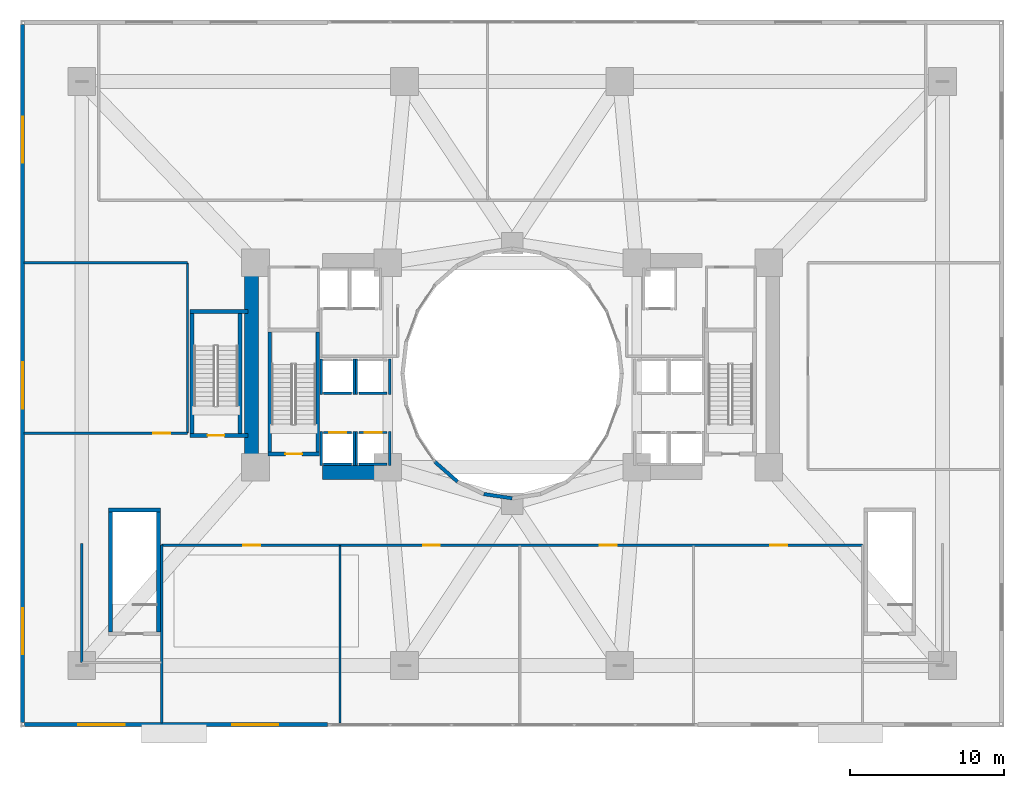
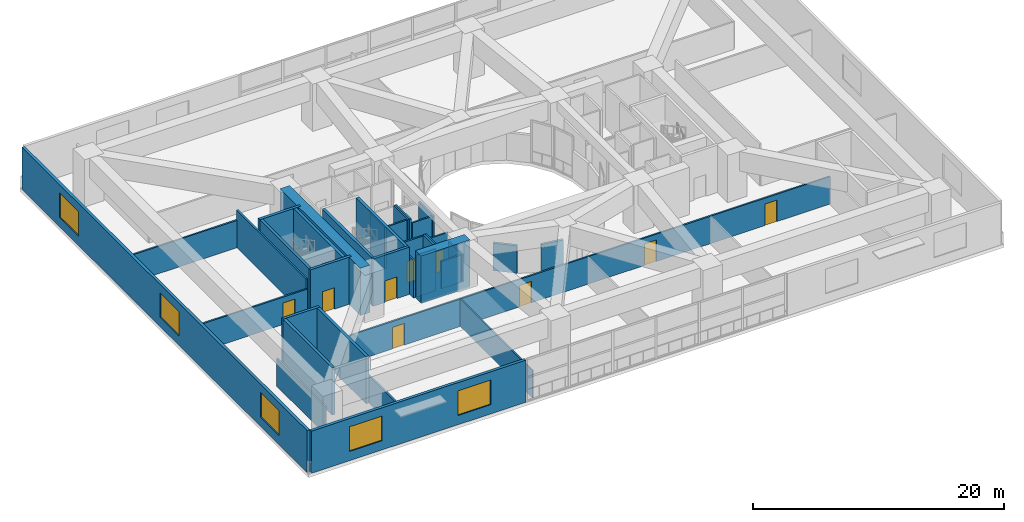
# One storey, part 18 of 27: 37 walls, 9 doors, 5 windows, 14 openings.
"""IFC4 building model written with IfcOpenShell, lengths in metres."""

from ifc_helpers import new_model, si_unit, direction, frame, frame_2d, origin, place, context, subcontext, project, spatial, rectangle, extrude, material, layer, layer_set, type_object, element, fill, save


model = new_model("IFC4")

# Units and contexts
model_context = context("Model", 3, precision=1e-05, world=origin(), true_north=direction((0.0, 1.0)))
body_context = subcontext(model_context, "Body", "Model", "MODEL_VIEW")
ifc_project = project(units=[si_unit("LENGTHUNIT", "METRE"), si_unit("AREAUNIT", "SQUARE_METRE"), si_unit("VOLUMEUNIT", "CUBIC_METRE"), si_unit("PLANEANGLEUNIT", "RADIAN"), si_unit("MASSUNIT", "GRAM", prefix="KILO")], contexts=[model_context])

# Site, building, storey
site_placement = place(None, origin())
site = spatial("IfcSite", under=ifc_project, at=site_placement, CompositionType="ELEMENT")
building_placement = place(site_placement, origin())
building = spatial("IfcBuilding", under=site, at=building_placement, Name="Solvane Sanctuary Tower", CompositionType="ELEMENT")
storey_placement = place(building_placement, frame((0.0, 0.0, 23.0)))
storey = spatial("IfcBuildingStorey", under=building, at=storey_placement, Name="L06", CompositionType="ELEMENT", Elevation=23.0)

# Walls
ifc_material_1 = material(Name="Concrete C70/85", Category="concrete")
ifc_layer_1 = layer(ifc_material_1, 0.89990234375, Name="Concrete C70/85")
ifc_layer_set_1 = layer_set([ifc_layer_1], Name="Concrete C70/85")
wall_type_1 = type_object("IfcWallType", Name="Wall W-CORE-900", PredefinedType="SHEAR", material=ifc_layer_set_1)
wall_1_placement = place(storey_placement, frame((15.050048828125, 17.050048828125, 0.0), z_axis=(0.0, 0.0, 1.0), x_axis=(0.0, 1.0, 0.0)))
element("IfcWall", 1, at=wall_1_placement, inside=storey, type_object=wall_type_1, Name="L06 Core Shear Wall WC-W", PredefinedType="SHEAR", context=body_context, shape_type="SweptSolid", body=[
    extrude(rectangle(XDim=12.800048828125, YDim=0.89990234375, at=frame_2d((6.39990234375, 0.0))), origin(), (0.0, 0.0, 1.0), 4.60009765625),
])
wall_2_placement = place(storey_placement, frame((19.64990234375, 16.550048828125, 0.0), z_axis=(0.0, 0.0, 1.0), x_axis=(1.0, 0.0, 0.0)))
element("IfcWall", 2, at=wall_2_placement, inside=storey, type_object=wall_type_1, Name="L06 Core Shear Wall WC-S", PredefinedType="SHEAR", context=body_context, shape_type="SweptSolid", body=[
    extrude(rectangle(XDim=4.5, YDim=0.89990234375, at=frame_2d((2.25, 0.0))), origin(), (0.0, 0.0, 1.0), 4.60009765625),
])

# Wall, openings, doors
ifc_material_2 = material(Name="Acoustic Gypsum Partition Board")
ifc_layer_2 = layer(ifc_material_2, 0.14990234375, Name="Acoustic Gypsum Partition Board")
ifc_layer_set_2 = layer_set([ifc_layer_2], Name="Acoustic Gypsum Partition Board")
wall_type_2 = type_object("IfcWallType", Name="Wall W-CORR-150", PredefinedType="PARTITIONING", material=ifc_layer_set_2)
wall_3_placement = place(storey_placement, frame((9.199951171875, 11.830078125, 0.0), z_axis=(0.0, 0.0, 1.0), x_axis=(1.0, 0.0, 0.0)))
wall_3 = element("IfcWall", 3, at=wall_3_placement, inside=storey, type_object=wall_type_2, Name="L06 South Sanctuary Corridor Wall", PredefinedType="PARTITIONING", context=body_context, shape_type="SweptSolid", body=[
    extrude(rectangle(XDim=45.60009765625, YDim=0.14990234375, at=frame_2d((22.800048828125, 0.0))), origin(), (0.0, 0.0, 1.0), 2.669921875),
])
opening_1_placement = place(wall_3_placement, frame((5.300048828125, 0.0, 0.0)))
opening_1 = element("IfcOpeningElement", 4, at=opening_1_placement, cuts=wall_3, Name="Opening D-L06-08", PredefinedType="OPENING", context=body_context, shape_type="SweptSolid", body=[
    extrude(rectangle(XDim=1.10009765625, YDim=2.10009765625, at=frame_2d((0.550048828125, 1.050048828125))), frame((0.0, 0.0849609375, 0.0), z_axis=(0.0, -1.0, 0.0), x_axis=(1.0, 0.0, 0.0)), (0.0, 0.0, 1.0), 0.169921875),
])
opening_2_placement = place(wall_3_placement, frame((17.0, 0.0, 0.0)))
opening_2 = element("IfcOpeningElement", 5, at=opening_2_placement, cuts=wall_3, Name="Opening D-L06-09", PredefinedType="OPENING", context=body_context, shape_type="SweptSolid", body=[
    extrude(rectangle(XDim=1.10009765625, YDim=2.10009765625, at=frame_2d((0.550048828125, 1.050048828125))), frame((0.0, 0.0849609375, 0.0), z_axis=(0.0, -1.0, 0.0), x_axis=(1.0, 0.0, 0.0)), (0.0, 0.0, 1.0), 0.169921875),
])
opening_3_placement = place(wall_3_placement, frame((28.5, 0.0, 0.0)))
opening_3 = element("IfcOpeningElement", 6, at=opening_3_placement, cuts=wall_3, Name="Opening D-L06-10", PredefinedType="OPENING", context=body_context, shape_type="SweptSolid", body=[
    extrude(rectangle(XDim=1.10009765625, YDim=2.10009765625, at=frame_2d((0.550048828125, 1.050048828125))), frame((0.0, 0.0849609375, 0.0), z_axis=(0.0, -1.0, 0.0), x_axis=(1.0, 0.0, 0.0)), (0.0, 0.0, 1.0), 0.169921875),
])
opening_4_placement = place(wall_3_placement, frame((39.60009765625, 0.0, 0.0)))
opening_4 = element("IfcOpeningElement", 7, at=opening_4_placement, cuts=wall_3, Name="Opening D-L06-11", PredefinedType="OPENING", context=body_context, shape_type="SweptSolid", body=[
    extrude(rectangle(XDim=1.10009765625, YDim=2.10009765625, at=frame_2d((0.550048828125, 1.050048828125))), frame((0.0, 0.0849609375, 0.0), z_axis=(0.0, -1.0, 0.0), x_axis=(1.0, 0.0, 0.0)), (0.0, 0.0, 1.0), 0.169921875),
])
ifc_material_3 = material(Name="Architectural Stainless Steel 316", Category="steel")
door_type_1 = type_object("IfcDoorType", Name="Door D-FFL", OperationType="NOTDEFINED", PredefinedType="DOOR", material=ifc_material_3)
door_1_placement = place(opening_1_placement, origin())
door_1 = element("IfcDoor", 8, at=door_1_placement, inside=storey, type_object=door_type_1, Name="L06 CLIN-1 Hall Door", OperationType="SINGLE_SWING_RIGHT", OverallHeight=2.10009765625, OverallWidth=1.10009765625, PredefinedType="DOOR", context=body_context, shape_type="SweptSolid", body=[
    extrude(rectangle(XDim=1.10009765625, YDim=2.10009765625, at=frame_2d((0.550048828125, 1.050048828125))), frame((0.0, 0.02490234375, 0.0), z_axis=(0.0, -1.0, 0.0), x_axis=(1.0, 0.0, 0.0)), (0.0, 0.0, 1.0), 0.050048828125),
])
fill(opening_1, door_1)
door_2_placement = place(opening_2_placement, origin())
door_2 = element("IfcDoor", 9, at=door_2_placement, inside=storey, type_object=door_type_1, Name="L06 CLIN-2 Hall Door", OperationType="SINGLE_SWING_LEFT", OverallHeight=2.10009765625, OverallWidth=1.10009765625, PredefinedType="DOOR", context=body_context, shape_type="SweptSolid", body=[
    extrude(rectangle(XDim=1.10009765625, YDim=2.10009765625, at=frame_2d((0.550048828125, 1.050048828125))), frame((0.0, 0.02490234375, 0.0), z_axis=(0.0, -1.0, 0.0), x_axis=(1.0, 0.0, 0.0)), (0.0, 0.0, 1.0), 0.050048828125),
])
fill(opening_2, door_2)
door_3_placement = place(opening_3_placement, origin())
door_3 = element("IfcDoor", 10, at=door_3_placement, inside=storey, type_object=door_type_1, Name="L06 PHARM Hall Door", OperationType="SINGLE_SWING_RIGHT", OverallHeight=2.10009765625, OverallWidth=1.10009765625, PredefinedType="DOOR", context=body_context, shape_type="SweptSolid", body=[
    extrude(rectangle(XDim=1.10009765625, YDim=2.10009765625, at=frame_2d((0.550048828125, 1.050048828125))), frame((0.0, 0.02490234375, 0.0), z_axis=(0.0, -1.0, 0.0), x_axis=(1.0, 0.0, 0.0)), (0.0, 0.0, 1.0), 0.050048828125),
])
fill(opening_3, door_3)
door_4_placement = place(opening_4_placement, origin())
door_4 = element("IfcDoor", 11, at=door_4_placement, inside=storey, type_object=door_type_1, Name="L06 COUNS Hall Door", OperationType="SINGLE_SWING_LEFT", OverallHeight=2.10009765625, OverallWidth=1.10009765625, PredefinedType="DOOR", context=body_context, shape_type="SweptSolid", body=[
    extrude(rectangle(XDim=1.10009765625, YDim=2.10009765625, at=frame_2d((0.550048828125, 1.050048828125))), frame((0.0, 0.02490234375, 0.0), z_axis=(0.0, -1.0, 0.0), x_axis=(1.0, 0.0, 0.0)), (0.0, 0.0, 1.0), 0.050048828125),
])
fill(opening_4, door_4)

# Walls
wall_4_placement = place(storey_placement, frame((9.199951171875, 0.25, 0.0), z_axis=(0.0, 0.0, 1.0), x_axis=(0.0, 1.0, 0.0)))
element("IfcWall", 12, at=wall_4_placement, inside=storey, type_object=wall_type_2, Name="L06 West Hall End Wall", PredefinedType="PARTITIONING", context=body_context, shape_type="SweptSolid", body=[
    extrude(rectangle(XDim=11.580078125, YDim=0.14990234375, at=frame_2d((5.7900390625, 0.0))), origin(), (0.0, 0.0, 1.0), 2.669921875),
])
wall_5_placement = place(storey_placement, frame((4.0, 4.199951171875, 0.0), z_axis=(0.0, 0.0, 1.0), x_axis=(0.0, 1.0, 0.0)))
element("IfcWall", 13, at=wall_5_placement, inside=storey, type_object=wall_type_2, Name="L06 ST-4 Link West Wall", PredefinedType="PARTITIONING", context=body_context, shape_type="SweptSolid", body=[
    extrude(rectangle(XDim=7.75, YDim=0.14990234375, at=frame_2d((3.875, 0.0))), origin(), (0.0, 0.0, 1.0), 2.669921875),
])

# Wall, opening, door
wall_6_placement = place(storey_placement, frame((0.25, 19.1201171875, 0.0), z_axis=(0.0, 0.0, 1.0), x_axis=(1.0, 0.0, 0.0)))
wall_6 = element("IfcWall", 14, at=wall_6_placement, inside=storey, type_object=wall_type_2, Name="L06 West Cloister South Wall", PredefinedType="PARTITIONING", context=body_context, shape_type="SweptSolid", body=[
    extrude(rectangle(XDim=10.6298828125, YDim=0.14990234375, at=frame_2d((5.31494140625, 0.0))), origin(), (0.0, 0.0, 1.0), 2.669921875),
])
opening_5_placement = place(wall_6_placement, frame((8.39990234375, 0.0, 0.0)))
opening_5 = element("IfcOpeningElement", 15, at=opening_5_placement, cuts=wall_6, Name="Opening D-L06-15", PredefinedType="OPENING", context=body_context, shape_type="SweptSolid", body=[
    extrude(rectangle(XDim=1.10009765625, YDim=2.10009765625, at=frame_2d((0.550048828125, 1.050048828125))), frame((0.0, 0.0849609375, 0.0), z_axis=(0.0, -1.0, 0.0), x_axis=(1.0, 0.0, 0.0)), (0.0, 0.0, 1.0), 0.169921875),
])
door_5_placement = place(opening_5_placement, origin())
door_5 = element("IfcDoor", 16, at=door_5_placement, inside=storey, type_object=door_type_1, Name="L06 West Cloister Door", OperationType="SINGLE_SWING_LEFT", OverallHeight=2.10009765625, OverallWidth=1.10009765625, PredefinedType="DOOR", context=body_context, shape_type="SweptSolid", body=[
    extrude(rectangle(XDim=1.10009765625, YDim=2.10009765625, at=frame_2d((0.550048828125, 1.050048828125))), frame((0.0, 0.02490234375, 0.0), z_axis=(0.0, -1.0, 0.0), x_axis=(1.0, 0.0, 0.0)), (0.0, 0.0, 1.0), 0.050048828125),
])
fill(opening_5, door_5)

# Walls
wall_7_placement = place(storey_placement, frame((10.8798828125, 19.1201171875, 0.0), z_axis=(0.0, 0.0, 1.0), x_axis=(0.0, 1.0, 0.0)))
element("IfcWall", 17, at=wall_7_placement, inside=storey, type_object=wall_type_2, Name="L06 West Cloister East Wall", PredefinedType="PARTITIONING", context=body_context, shape_type="SweptSolid", body=[
    extrude(rectangle(XDim=11.079833984375, YDim=0.14990234375, at=frame_2d((5.5400390625, 0.0))), origin(), (0.0, 0.0, 1.0), 3.6201171875),
])
wall_8_placement = place(storey_placement, frame((0.25, 30.199951171875, 0.0), z_axis=(0.0, 0.0, 1.0), x_axis=(1.0, 0.0, 0.0)))
element("IfcWall", 18, at=wall_8_placement, inside=storey, type_object=wall_type_2, Name="L06 West Cloister North Wall", PredefinedType="PARTITIONING", context=body_context, shape_type="SweptSolid", body=[
    extrude(rectangle(XDim=10.6298828125, YDim=0.14990234375, at=frame_2d((5.31494140625, 0.0))), origin(), (0.0, 0.0, 1.0), 2.669921875),
])

# Wall, openings, windows
ifc_material_4 = material(Name="Precast concrete C40/50", Category="concrete")
ifc_layer_3 = layer(ifc_material_4, 0.260009765625, Name="Precast concrete C40/50")
ifc_layer_set_3 = layer_set([ifc_layer_3], Name="Precast concrete C40/50")
wall_type_3 = type_object("IfcWallType", Name="Wall W-EXT-250", PredefinedType="STANDARD", material=ifc_layer_set_3)
wall_9_placement = place(storey_placement, frame((0.280029296875, 0.14990234375, 0.0), z_axis=(0.0, 0.0, 1.0), x_axis=(1.0, 0.0, 0.0)))
wall_9 = element("IfcWall", 19, at=wall_9_placement, inside=storey, type_object=wall_type_3, Name="L06 Podium Facade Wall S1", PredefinedType="STANDARD", context=body_context, shape_type="SweptSolid", body=[
    extrude(rectangle(XDim=19.719970703125, YDim=0.260009765625, at=frame_2d((9.85986328125, 0.0))), origin(), (0.0, 0.0, 1.0), 4.10009765625),
])
opening_6_placement = place(wall_9_placement, frame((3.5, 0.0, 0.89990234375)))
opening_6 = element("IfcOpeningElement", 20, at=opening_6_placement, cuts=wall_9, Name="Opening WN-POD-3000", PredefinedType="OPENING", context=body_context, shape_type="SweptSolid", body=[
    extrude(rectangle(XDim=3.0, YDim=2.39990234375, at=frame_2d((1.5, 1.199951171875))), frame((0.0, 0.139892578125, 0.0), z_axis=(0.0, -1.0, 0.0), x_axis=(1.0, 0.0, 0.0)), (0.0, 0.0, 1.0), 0.280029296875),
])
opening_7_placement = place(wall_9_placement, frame((13.5, 0.0, 0.89990234375)))
opening_7 = element("IfcOpeningElement", 21, at=opening_7_placement, cuts=wall_9, Name="Opening WN-POD-3000", PredefinedType="OPENING", context=body_context, shape_type="SweptSolid", body=[
    extrude(rectangle(XDim=3.0, YDim=2.39990234375, at=frame_2d((1.5, 1.199951171875))), frame((0.0, 0.139892578125, 0.0), z_axis=(0.0, -1.0, 0.0), x_axis=(1.0, 0.0, 0.0)), (0.0, 0.0, 1.0), 0.280029296875),
])
ifc_material_5 = material(Name="Dark Ceramic-Fritted Low-E Glass", Category="glass")
window_type = type_object("IfcWindowType", Name="Window WN-POD-3000", PartitioningType="SINGLE_PANEL", PredefinedType="WINDOW", material=ifc_material_5)
window_1_placement = place(opening_6_placement, origin())
window_1 = element("IfcWindow", 22, at=window_1_placement, inside=storey, type_object=window_type, Name="L06 Podium Window S1-3", OverallHeight=2.39990234375, OverallWidth=3.0, PartitioningType="SINGLE_PANEL", PredefinedType="WINDOW", context=body_context, shape_type="SweptSolid", body=[
    extrude(rectangle(XDim=3.0, YDim=2.39990234375, at=frame_2d((1.5, 1.199951171875))), frame((0.0, 0.030029296875, 0.0), z_axis=(0.0, -1.0, 0.0), x_axis=(1.0, 0.0, 0.0)), (0.0, 0.0, 1.0), 0.06005859375),
])
fill(opening_6, window_1)
window_2_placement = place(opening_7_placement, origin())
window_2 = element("IfcWindow", 23, at=window_2_placement, inside=storey, type_object=window_type, Name="L06 Podium Window S1-13", OverallHeight=2.39990234375, OverallWidth=3.0, PartitioningType="SINGLE_PANEL", PredefinedType="WINDOW", context=body_context, shape_type="SweptSolid", body=[
    extrude(rectangle(XDim=3.0, YDim=2.39990234375, at=frame_2d((1.5, 1.199951171875))), frame((0.0, 0.030029296875, 0.0), z_axis=(0.0, -1.0, 0.0), x_axis=(1.0, 0.0, 0.0)), (0.0, 0.0, 1.0), 0.06005859375),
])
fill(opening_7, window_2)

wall_10_placement = place(storey_placement, frame((0.14990234375, 45.719970703125, 0.0), z_axis=(0.0, 0.0, 1.0), x_axis=(0.0, -1.0, 0.0)))
wall_10 = element("IfcWall", 24, at=wall_10_placement, inside=storey, type_object=wall_type_3, Name="L06 Podium Facade Wall W1", PredefinedType="STANDARD", context=body_context, shape_type="SweptSolid", body=[
    extrude(rectangle(XDim=45.43994140625, YDim=0.260009765625, at=frame_2d((22.719970703125, 0.0))), origin(), (0.0, 0.0, 1.0), 4.10009765625),
])
opening_8_placement = place(wall_10_placement, frame((6.0, 0.0, 0.89990234375)))
opening_8 = element("IfcOpeningElement", 25, at=opening_8_placement, cuts=wall_10, Name="Opening WN-POD-3000", PredefinedType="OPENING", context=body_context, shape_type="SweptSolid", body=[
    extrude(rectangle(XDim=3.0, YDim=2.39990234375, at=frame_2d((1.5, 1.199951171875))), frame((0.0, 0.139892578125, 0.0), z_axis=(0.0, -1.0, 0.0), x_axis=(1.0, 0.0, 0.0)), (0.0, 0.0, 1.0), 0.280029296875),
])
opening_9_placement = place(wall_10_placement, frame((22.0, 0.0, 0.89990234375)))
opening_9 = element("IfcOpeningElement", 26, at=opening_9_placement, cuts=wall_10, Name="Opening WN-POD-3000", PredefinedType="OPENING", context=body_context, shape_type="SweptSolid", body=[
    extrude(rectangle(XDim=3.0, YDim=2.39990234375, at=frame_2d((1.5, 1.199951171875))), frame((0.0, 0.139892578125, 0.0), z_axis=(0.0, -1.0, 0.0), x_axis=(1.0, 0.0, 0.0)), (0.0, 0.0, 1.0), 0.280029296875),
])
opening_10_placement = place(wall_10_placement, frame((38.0, 0.0, 0.89990234375)))
opening_10 = element("IfcOpeningElement", 27, at=opening_10_placement, cuts=wall_10, Name="Opening WN-POD-3000", PredefinedType="OPENING", context=body_context, shape_type="SweptSolid", body=[
    extrude(rectangle(XDim=3.0, YDim=2.39990234375, at=frame_2d((1.5, 1.199951171875))), frame((0.0, 0.139892578125, 0.0), z_axis=(0.0, -1.0, 0.0), x_axis=(1.0, 0.0, 0.0)), (0.0, 0.0, 1.0), 0.280029296875),
])
window_3_placement = place(opening_8_placement, origin())
window_3 = element("IfcWindow", 28, at=window_3_placement, inside=storey, type_object=window_type, Name="L06 Podium Window W1-6", OverallHeight=2.39990234375, OverallWidth=3.0, PartitioningType="SINGLE_PANEL", PredefinedType="WINDOW", context=body_context, shape_type="SweptSolid", body=[
    extrude(rectangle(XDim=3.0, YDim=2.39990234375, at=frame_2d((1.5, 1.199951171875))), frame((0.0, 0.030029296875, 0.0), z_axis=(0.0, -1.0, 0.0), x_axis=(1.0, 0.0, 0.0)), (0.0, 0.0, 1.0), 0.06005859375),
])
fill(opening_8, window_3)
window_4_placement = place(opening_9_placement, origin())
window_4 = element("IfcWindow", 29, at=window_4_placement, inside=storey, type_object=window_type, Name="L06 Podium Window W1-22", OverallHeight=2.39990234375, OverallWidth=3.0, PartitioningType="SINGLE_PANEL", PredefinedType="WINDOW", context=body_context, shape_type="SweptSolid", body=[
    extrude(rectangle(XDim=3.0, YDim=2.39990234375, at=frame_2d((1.5, 1.199951171875))), frame((0.0, 0.030029296875, 0.0), z_axis=(0.0, -1.0, 0.0), x_axis=(1.0, 0.0, 0.0)), (0.0, 0.0, 1.0), 0.06005859375),
])
fill(opening_9, window_4)
window_5_placement = place(opening_10_placement, origin())
window_5 = element("IfcWindow", 30, at=window_5_placement, inside=storey, type_object=window_type, Name="L06 Podium Window W1-38", OverallHeight=2.39990234375, OverallWidth=3.0, PartitioningType="SINGLE_PANEL", PredefinedType="WINDOW", context=body_context, shape_type="SweptSolid", body=[
    extrude(rectangle(XDim=3.0, YDim=2.39990234375, at=frame_2d((1.5, 1.199951171875))), frame((0.0, 0.030029296875, 0.0), z_axis=(0.0, -1.0, 0.0), x_axis=(1.0, 0.0, 0.0)), (0.0, 0.0, 1.0), 0.06005859375),
])
fill(opening_10, window_5)

# Walls
ifc_layer_4 = layer(ifc_material_4, 0.22998046875, Name="Precast concrete C40/50")
ifc_layer_set_4 = layer_set([ifc_layer_4], Name="Precast concrete C40/50")
wall_type_4 = type_object("IfcWallType", Name="Wall W-EXT-SP220", PredefinedType="STANDARD", material=ifc_layer_set_4)
wall_11_placement = place(storey_placement, frame((26.96533203125, 17.25830078125, 0.0), z_axis=(0.0, 0.0, 1.0), x_axis=(0.752576694707, -0.658504607869, 0.0)))
element("IfcWall", 31, at=wall_11_placement, inside=storey, type_object=wall_type_4, Name="L06 Light-Well Enclosure Wall 15", PredefinedType="STANDARD", context=body_context, shape_type="SweptSolid", body=[
    extrude(rectangle(XDim=1.95947265625, YDim=0.22998046875, at=frame_2d((0.979736328125, 0.0))), origin(), (0.0, 0.0, 1.0), 2.669921875),
])
wall_12_placement = place(storey_placement, frame((30.1572265625, 15.15673828125, 0.0), z_axis=(0.0, 0.0, 1.0), x_axis=(0.988901730308, -0.148571086668, 0.0)))
element("IfcWall", 32, at=wall_12_placement, inside=storey, type_object=wall_type_4, Name="L06 Light-Well Enclosure Wall 17", PredefinedType="STANDARD", context=body_context, shape_type="SweptSolid", body=[
    extrude(rectangle(XDim=1.863525390625, YDim=0.22998046875, at=frame_2d((0.931640625, 0.0))), origin(), (0.0, 0.0, 1.0), 2.669921875),
])
ifc_layer_5 = layer(ifc_material_2, 0.1201171875, Name="Acoustic Gypsum Partition Board")
ifc_layer_set_5 = layer_set([ifc_layer_5], Name="Acoustic Gypsum Partition Board")
wall_type_5 = type_object("IfcWallType", Name="Wall W-MOV-100", PredefinedType="MOVABLE", material=ifc_layer_set_5)
wall_13_placement = place(storey_placement, frame((20.800048828125, 0.25, 0.0), z_axis=(0.0, 0.0, 1.0), x_axis=(0.0, 1.0, 0.0)))
element("IfcWall", 33, at=wall_13_placement, inside=storey, type_object=wall_type_5, Name="L06 Hall Dividing Partition CLIN-1", PredefinedType="MOVABLE", context=body_context, shape_type="SweptSolid", body=[
    extrude(rectangle(XDim=11.530029296875, YDim=0.1201171875, at=frame_2d((5.76513671875, 0.0))), origin(), (0.0, 0.0, 1.0), 2.669921875),
])

# Wall, opening, door
ifc_material_6 = material(Name="Concrete C50/60", Category="concrete")
ifc_layer_6 = layer(ifc_material_6, 0.14990234375, Name="Concrete C50/60")
ifc_layer_set_6 = layer_set([ifc_layer_6], Name="Concrete C50/60")
wall_type_6 = type_object("IfcWallType", Name="Wall W-SHAFT-150", PredefinedType="SOLIDWALL", material=ifc_layer_set_6)
wall_14_placement = place(storey_placement, frame((19.739990234375, 19.159912109375, 0.0), z_axis=(0.0, 0.0, 1.0), x_axis=(1.0, 0.0, 0.0)))
wall_14 = element("IfcWall", 34, at=wall_14_placement, inside=storey, type_object=wall_type_6, Name="L06 PL-1 Lift Shaft Wall F", PredefinedType="SOLIDWALL", context=body_context, shape_type="SweptSolid", body=[
    extrude(rectangle(XDim=1.820068359375, YDim=0.14990234375, at=frame_2d((0.91015625, 0.0))), origin(), (0.0, 0.0, 1.0), 4.074951171875),
])
opening_11_placement = place(wall_14_placement, frame((0.360107421875, 0.0, 0.0)))
opening_11 = element("IfcOpeningElement", 35, at=opening_11_placement, cuts=wall_14, Name="Opening LD-L06-01", PredefinedType="OPENING", context=body_context, shape_type="SweptSolid", body=[
    extrude(rectangle(XDim=1.10009765625, YDim=2.10009765625, at=frame_2d((0.550048828125, 1.050048828125))), frame((0.0, 0.0849609375, 0.0), z_axis=(0.0, -1.0, 0.0), x_axis=(1.0, 0.0, 0.0)), (0.0, 0.0, 1.0), 0.169921875),
])
door_type_2 = type_object("IfcDoorType", Name="Door LD-PASS-1100", OperationType="NOTDEFINED", PredefinedType="DOOR", material=ifc_material_3)
door_6_placement = place(opening_11_placement, origin())
door_6 = element("IfcDoor", 36, at=door_6_placement, inside=storey, type_object=door_type_2, Name="L06 PL-1 Lift Landing Door", OperationType="DOUBLE_DOOR_SLIDING", OverallHeight=2.10009765625, OverallWidth=1.10009765625, PredefinedType="DOOR", context=body_context, shape_type="SweptSolid", body=[
    extrude(rectangle(XDim=1.10009765625, YDim=2.10009765625, at=frame_2d((0.550048828125, 1.050048828125))), frame((0.0, 0.02490234375, 0.0), z_axis=(0.0, -1.0, 0.0), x_axis=(1.0, 0.0, 0.0)), (0.0, 0.0, 1.0), 0.050048828125),
])
fill(opening_11, door_6)

# Walls
wall_15_placement = place(storey_placement, frame((19.739990234375, 17.10009765625, 0.0), z_axis=(0.0, 0.0, 1.0), x_axis=(1.0, 0.0, 0.0)))
element("IfcWall", 37, at=wall_15_placement, inside=storey, type_object=wall_type_6, Name="L06 PL-1 Lift Shaft Wall B", PredefinedType="SOLIDWALL", context=body_context, shape_type="SweptSolid", body=[
    extrude(rectangle(XDim=1.820068359375, YDim=0.14990234375, at=frame_2d((0.91015625, 0.0))), origin(), (0.0, 0.0, 1.0), 4.074951171875),
])
wall_16_placement = place(storey_placement, frame((19.570068359375, 17.02001953125, 0.0), z_axis=(0.0, 0.0, 1.0), x_axis=(0.0, 1.0, 0.0)))
element("IfcWall", 38, at=wall_16_placement, inside=storey, type_object=wall_type_6, Name="L06 PL-1 Lift Shaft Wall S1", PredefinedType="SOLIDWALL", context=body_context, shape_type="SweptSolid", body=[
    extrude(rectangle(XDim=2.219970703125, YDim=0.14990234375, at=frame_2d((1.10986328125, 0.0))), origin(), (0.0, 0.0, 1.0), 3.6201171875),
])
wall_17_placement = place(storey_placement, frame((21.72998046875, 17.02001953125, 0.0), z_axis=(0.0, 0.0, 1.0), x_axis=(0.0, 1.0, 0.0)))
element("IfcWall", 39, at=wall_17_placement, inside=storey, type_object=wall_type_6, Name="L06 PL-1 Lift Shaft Wall S2", PredefinedType="SOLIDWALL", context=body_context, shape_type="SweptSolid", body=[
    extrude(rectangle(XDim=2.219970703125, YDim=0.14990234375, at=frame_2d((1.10986328125, 0.0))), origin(), (0.0, 0.0, 1.0), 4.074951171875),
])

# Wall, opening, door
wall_18_placement = place(storey_placement, frame((22.0400390625, 19.159912109375, 0.0), z_axis=(0.0, 0.0, 1.0), x_axis=(1.0, 0.0, 0.0)))
wall_18 = element("IfcWall", 40, at=wall_18_placement, inside=storey, type_object=wall_type_6, Name="L06 PL-2 Lift Shaft Wall F", PredefinedType="SOLIDWALL", context=body_context, shape_type="SweptSolid", body=[
    extrude(rectangle(XDim=1.820068359375, YDim=0.14990234375, at=frame_2d((0.91015625, 0.0))), origin(), (0.0, 0.0, 1.0), 3.6201171875),
])
opening_12_placement = place(wall_18_placement, frame((0.360107421875, 0.0, 0.0)))
opening_12 = element("IfcOpeningElement", 41, at=opening_12_placement, cuts=wall_18, Name="Opening LD-L06-02", PredefinedType="OPENING", context=body_context, shape_type="SweptSolid", body=[
    extrude(rectangle(XDim=1.10009765625, YDim=2.10009765625, at=frame_2d((0.550048828125, 1.050048828125))), frame((0.0, 0.0849609375, 0.0), z_axis=(0.0, -1.0, 0.0), x_axis=(1.0, 0.0, 0.0)), (0.0, 0.0, 1.0), 0.169921875),
])
door_7_placement = place(opening_12_placement, origin())
door_7 = element("IfcDoor", 42, at=door_7_placement, inside=storey, type_object=door_type_2, Name="L06 PL-2 Lift Landing Door", OperationType="DOUBLE_DOOR_SLIDING", OverallHeight=2.10009765625, OverallWidth=1.10009765625, PredefinedType="DOOR", context=body_context, shape_type="SweptSolid", body=[
    extrude(rectangle(XDim=1.10009765625, YDim=2.10009765625, at=frame_2d((0.550048828125, 1.050048828125))), frame((0.0, 0.02490234375, 0.0), z_axis=(0.0, -1.0, 0.0), x_axis=(1.0, 0.0, 0.0)), (0.0, 0.0, 1.0), 0.050048828125),
])
fill(opening_12, door_7)

# Walls
wall_19_placement = place(storey_placement, frame((22.0400390625, 17.10009765625, 0.0), z_axis=(0.0, 0.0, 1.0), x_axis=(1.0, 0.0, 0.0)))
element("IfcWall", 43, at=wall_19_placement, inside=storey, type_object=wall_type_6, Name="L06 PL-2 Lift Shaft Wall B", PredefinedType="SOLIDWALL", context=body_context, shape_type="SweptSolid", body=[
    extrude(rectangle(XDim=1.820068359375, YDim=0.14990234375, at=frame_2d((0.91015625, 0.0))), origin(), (0.0, 0.0, 1.0), 2.669921875),
])
wall_20_placement = place(storey_placement, frame((21.8701171875, 17.02001953125, 0.0), z_axis=(0.0, 0.0, 1.0), x_axis=(0.0, 1.0, 0.0)))
element("IfcWall", 44, at=wall_20_placement, inside=storey, type_object=wall_type_6, Name="L06 PL-2 Lift Shaft Wall S1", PredefinedType="SOLIDWALL", context=body_context, shape_type="SweptSolid", body=[
    extrude(rectangle(XDim=2.219970703125, YDim=0.14990234375, at=frame_2d((1.10986328125, 0.0))), origin(), (0.0, 0.0, 1.0), 4.074951171875),
])
wall_21_placement = place(storey_placement, frame((24.030029296875, 17.02001953125, 0.0), z_axis=(0.0, 0.0, 1.0), x_axis=(0.0, 1.0, 0.0)))
element("IfcWall", 45, at=wall_21_placement, inside=storey, type_object=wall_type_6, Name="L06 PL-2 Lift Shaft Wall S2", PredefinedType="SOLIDWALL", context=body_context, shape_type="SweptSolid", body=[
    extrude(rectangle(XDim=2.219970703125, YDim=0.14990234375, at=frame_2d((1.10986328125, 0.0))), origin(), (0.0, 0.0, 1.0), 2.669921875),
])
wall_22_placement = place(storey_placement, frame((19.739990234375, 21.719970703125, 0.0), z_axis=(0.0, 0.0, 1.0), x_axis=(1.0, 0.0, 0.0)))
element("IfcWall", 46, at=wall_22_placement, inside=storey, type_object=wall_type_6, Name="L06 PM-1 Lift Shaft Wall F", PredefinedType="SOLIDWALL", context=body_context, shape_type="SweptSolid", body=[
    extrude(rectangle(XDim=1.820068359375, YDim=0.14990234375, at=frame_2d((0.91015625, 0.0))), origin(), (0.0, 0.0, 1.0), 4.074951171875),
])
for number, where, z_axis, x_axis, name in (
    (47, (19.570068359375, 21.639892578125, 0.0), (0.0, 0.0, 1.0), (0.0, 1.0, 0.0), "L06 PM-1 Lift Shaft Wall S1"),
    (48, (21.72998046875, 21.639892578125, 0.0), (0.0, 0.0, 1.0), (0.0, 1.0, 0.0), "L06 PM-1 Lift Shaft Wall S2"),
):
    element("IfcWall", number, at=place(storey_placement, frame(where, z_axis=z_axis, x_axis=x_axis)), inside=storey, type_object=wall_type_6, Name=name, PredefinedType="SOLIDWALL", context=body_context, shape_type="SweptSolid", body=[
        extrude(rectangle(XDim=2.320068359375, YDim=0.14990234375, at=frame_2d((1.16015625, 0.0))), origin(), (0.0, 0.0, 1.0), 4.074951171875),
    ])
wall_23_placement = place(storey_placement, frame((22.0400390625, 21.719970703125, 0.0), z_axis=(0.0, 0.0, 1.0), x_axis=(1.0, 0.0, 0.0)))
element("IfcWall", 49, at=wall_23_placement, inside=storey, type_object=wall_type_6, Name="L06 PH-1 Lift Shaft Wall F", PredefinedType="SOLIDWALL", context=body_context, shape_type="SweptSolid", body=[
    extrude(rectangle(XDim=1.820068359375, YDim=0.14990234375, at=frame_2d((0.91015625, 0.0))), origin(), (0.0, 0.0, 1.0), 3.6201171875),
])
wall_24_placement = place(storey_placement, frame((21.8701171875, 21.639892578125, 0.0), z_axis=(0.0, 0.0, 1.0), x_axis=(0.0, 1.0, 0.0)))
element("IfcWall", 50, at=wall_24_placement, inside=storey, type_object=wall_type_6, Name="L06 PH-1 Lift Shaft Wall S1", PredefinedType="SOLIDWALL", context=body_context, shape_type="SweptSolid", body=[
    extrude(rectangle(XDim=2.320068359375, YDim=0.14990234375, at=frame_2d((1.16015625, 0.0))), origin(), (0.0, 0.0, 1.0), 4.074951171875),
])
wall_25_placement = place(storey_placement, frame((24.030029296875, 21.639892578125, 0.0), z_axis=(0.0, 0.0, 1.0), x_axis=(0.0, 1.0, 0.0)))
element("IfcWall", 51, at=wall_25_placement, inside=storey, type_object=wall_type_6, Name="L06 PH-1 Lift Shaft Wall S2", PredefinedType="SOLIDWALL", context=body_context, shape_type="SweptSolid", body=[
    extrude(rectangle(XDim=2.320068359375, YDim=0.14990234375, at=frame_2d((1.16015625, 0.0))), origin(), (0.0, 0.0, 1.0), 3.6201171875),
])

# Wall, opening, door
ifc_layer_7 = layer(ifc_material_6, 0.25, Name="Concrete C50/60")
ifc_layer_set_7 = layer_set([ifc_layer_7], Name="Concrete C50/60")
wall_type_7 = type_object("IfcWallType", Name="Wall W-SHAFT-250", PredefinedType="SOLIDWALL", material=ifc_layer_set_7)
wall_26_placement = place(storey_placement, frame((16.10498046875, 17.77001953125, 0.0), z_axis=(0.0, 0.0, 1.0), x_axis=(1.0, 0.0, 0.0)))
wall_26 = element("IfcWall", 52, at=wall_26_placement, inside=storey, type_object=wall_type_7, Name="L06 ST-1 Load-Bearing Shaft Wall S", PredefinedType="SOLIDWALL", context=body_context, shape_type="SweptSolid", body=[
    extrude(rectangle(XDim=3.3701171875, YDim=0.25, at=frame_2d((1.68505859375, 0.0))), origin(), (0.0, 0.0, 1.0), 4.60009765625),
])
opening_13_placement = place(wall_26_placement, frame((1.135009765625, 0.0, 0.0)))
opening_13 = element("IfcOpeningElement", 53, at=opening_13_placement, cuts=wall_26, Name="Opening D-L06-01", PredefinedType="OPENING", context=body_context, shape_type="SweptSolid", body=[
    extrude(rectangle(XDim=1.10009765625, YDim=2.10009765625, at=frame_2d((0.550048828125, 1.050048828125))), frame((0.0, 0.135009765625, 0.0), z_axis=(0.0, -1.0, 0.0), x_axis=(1.0, 0.0, 0.0)), (0.0, 0.0, 1.0), 0.27001953125),
])
door_type_3 = type_object("IfcDoorType", Name="Door D-STAIR", OperationType="NOTDEFINED", PredefinedType="DOOR", material=ifc_material_3)
door_8_placement = place(opening_13_placement, origin())
door_8 = element("IfcDoor", 54, at=door_8_placement, inside=storey, type_object=door_type_3, Name="L06 ST-1 Exit Stair Fire Door", OperationType="SINGLE_SWING_RIGHT", OverallHeight=2.10009765625, OverallWidth=1.10009765625, PredefinedType="DOOR", context=body_context, shape_type="SweptSolid", body=[
    extrude(rectangle(XDim=1.10009765625, YDim=2.10009765625, at=frame_2d((0.550048828125, 1.050048828125))), frame((0.0, 0.02490234375, 0.0), z_axis=(0.0, -1.0, 0.0), x_axis=(1.0, 0.0, 0.0)), (0.0, 0.0, 1.0), 0.050048828125),
])
fill(opening_13, door_8)

# Walls
for number, where, z_axis, x_axis, name in (
    (55, (16.22998046875, 17.89501953125, 0.0), (0.0, 0.0, 1.0), (0.0, 1.0, 0.0), "L06 ST-1 Load-Bearing Shaft Wall W"),
    (56, (19.35009765625, 17.89501953125, 0.0), (0.0, 0.0, 1.0), (0.0, 1.0, 0.0), "L06 ST-1 Load-Bearing Shaft Wall E"),
):
    element("IfcWall", number, at=place(storey_placement, frame(where, z_axis=z_axis, x_axis=x_axis)), inside=storey, type_object=wall_type_7, Name=name, PredefinedType="SOLIDWALL", context=body_context, shape_type="SweptSolid", body=[
        extrude(rectangle(XDim=7.81005859375, YDim=0.25, at=frame_2d((3.905029296875, 0.0))), origin(), (0.0, 0.0, 1.0), 4.60009765625),
    ])

# Wall, opening, door
wall_27_placement = place(storey_placement, frame((11.044921875, 18.969970703125, 0.0), z_axis=(0.0, 0.0, 1.0), x_axis=(1.0, 0.0, 0.0)))
wall_27 = element("IfcWall", 57, at=wall_27_placement, inside=storey, type_object=wall_type_7, Name="L06 ST-3 Load-Bearing Shaft Wall S", PredefinedType="SOLIDWALL", context=body_context, shape_type="SweptSolid", body=[
    extrude(rectangle(XDim=3.781982421875, YDim=0.25, at=frame_2d((1.89111328125, 0.0))), origin(), (0.0, 0.0, 1.0), 4.60009765625),
])
opening_14_placement = place(wall_27_placement, frame((1.135009765625, 0.0, 0.0)))
opening_14 = element("IfcOpeningElement", 58, at=opening_14_placement, cuts=wall_27, Name="Opening D-L06-03", PredefinedType="OPENING", context=body_context, shape_type="SweptSolid", body=[
    extrude(rectangle(XDim=1.10009765625, YDim=2.10009765625, at=frame_2d((0.550048828125, 1.050048828125))), frame((0.0, 0.135009765625, 0.0), z_axis=(0.0, -1.0, 0.0), x_axis=(1.0, 0.0, 0.0)), (0.0, 0.0, 1.0), 0.27001953125),
])
door_9_placement = place(opening_14_placement, origin())
door_9 = element("IfcDoor", 59, at=door_9_placement, inside=storey, type_object=door_type_3, Name="L06 ST-3 Exit Stair Fire Door", OperationType="SINGLE_SWING_RIGHT", OverallHeight=2.10009765625, OverallWidth=1.10009765625, PredefinedType="DOOR", context=body_context, shape_type="SweptSolid", body=[
    extrude(rectangle(XDim=1.10009765625, YDim=2.10009765625, at=frame_2d((0.550048828125, 1.050048828125))), frame((0.0, 0.02490234375, 0.0), z_axis=(0.0, -1.0, 0.0), x_axis=(1.0, 0.0, 0.0)), (0.0, 0.0, 1.0), 0.050048828125),
])
fill(opening_14, door_9)

# Walls
wall_28_placement = place(storey_placement, frame((11.044921875, 27.030029296875, 0.0), z_axis=(0.0, 0.0, 1.0), x_axis=(1.0, 0.0, 0.0)))
element("IfcWall", 60, at=wall_28_placement, inside=storey, type_object=wall_type_7, Name="L06 ST-3 Load-Bearing Shaft Wall N", PredefinedType="SOLIDWALL", context=body_context, shape_type="SweptSolid", body=[
    extrude(rectangle(XDim=3.781982421875, YDim=0.25, at=frame_2d((1.89111328125, 0.0))), origin(), (0.0, 0.0, 1.0), 4.60009765625),
])
for number, where, z_axis, x_axis, name in (
    (61, (11.169921875, 19.094970703125, 0.0), (0.0, 0.0, 1.0), (0.0, 1.0, 0.0), "L06 ST-3 Load-Bearing Shaft Wall W"),
    (62, (14.2900390625, 19.094970703125, 0.0), (0.0, 0.0, 1.0), (0.0, 1.0, 0.0), "L06 ST-3 Load-Bearing Shaft Wall E"),
):
    element("IfcWall", number, at=place(storey_placement, frame(where, z_axis=z_axis, x_axis=x_axis)), inside=storey, type_object=wall_type_7, Name=name, PredefinedType="SOLIDWALL", context=body_context, shape_type="SweptSolid", body=[
        extrude(rectangle(XDim=7.81005859375, YDim=0.25, at=frame_2d((3.905029296875, 0.0))), origin(), (0.0, 0.0, 1.0), 4.60009765625),
    ])
wall_29_placement = place(storey_placement, frame((5.7451171875, 14.1298828125, 0.0), z_axis=(0.0, 0.0, 1.0), x_axis=(1.0, 0.0, 0.0)))
element("IfcWall", 63, at=wall_29_placement, inside=storey, type_object=wall_type_7, Name="L06 ST-4 Load-Bearing Shaft Wall N", PredefinedType="SOLIDWALL", context=body_context, shape_type="SweptSolid", body=[
    extrude(rectangle(XDim=3.369873046875, YDim=0.25, at=frame_2d((1.68505859375, 0.0))), origin(), (0.0, 0.0, 1.0), 4.60009765625),
])
for number, where, z_axis, x_axis, name in (
    (64, (5.8701171875, 6.195068359375, 0.0), (0.0, 0.0, 1.0), (0.0, 1.0, 0.0), "L06 ST-4 Load-Bearing Shaft Wall W"),
    (65, (8.989990234375, 6.195068359375, 0.0), (0.0, 0.0, 1.0), (0.0, 1.0, 0.0), "L06 ST-4 Load-Bearing Shaft Wall E"),
):
    element("IfcWall", number, at=place(storey_placement, frame(where, z_axis=z_axis, x_axis=x_axis)), inside=storey, type_object=wall_type_7, Name=name, PredefinedType="SOLIDWALL", context=body_context, shape_type="SweptSolid", body=[
        extrude(rectangle(XDim=7.809814453125, YDim=0.25, at=frame_2d((3.90478515625, 0.0))), origin(), (0.0, 0.0, 1.0), 4.60009765625),
    ])

save(model, "model.ifc")
